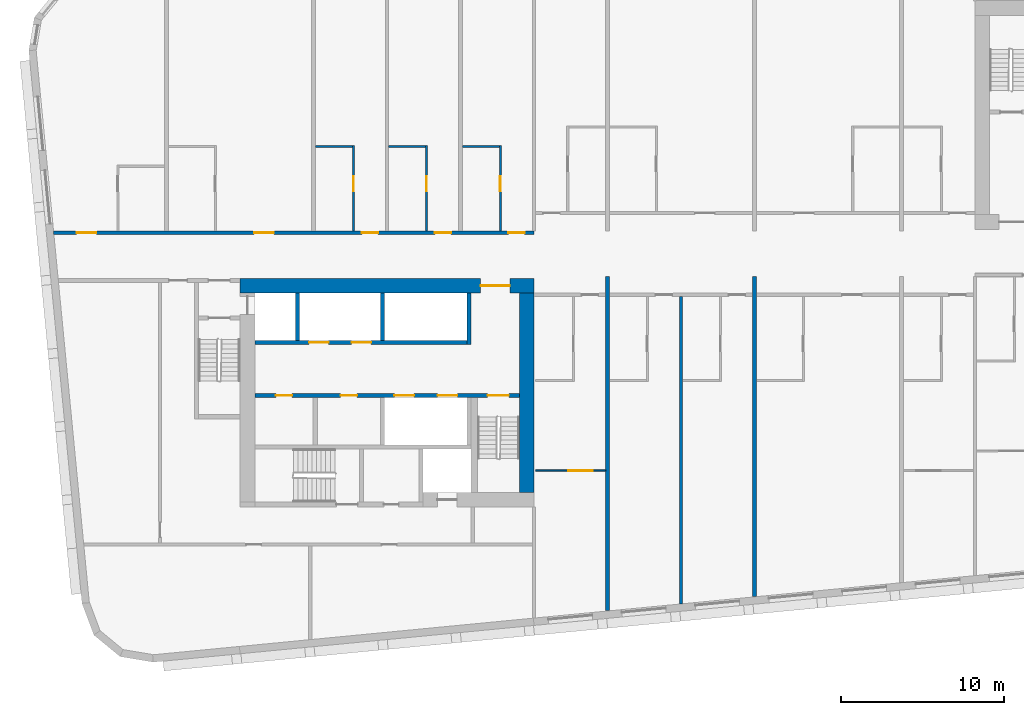
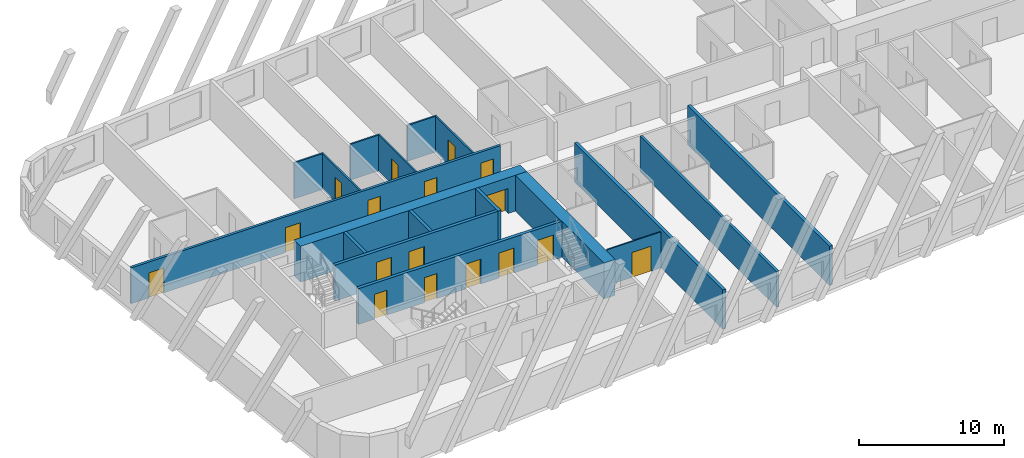
# One storey, part 3 of 13: 18 walls, 17 doors, 17 openings.
"""IFC4 building model written with IfcOpenShell, lengths in metres."""

import ifcopenshell
import ifcopenshell.guid

model = None  # the IFC model being written
_history = None  # IfcOwnerHistory: only IFC2X3 demands one
_inside = {}  # id of a spatial element -> (the spatial element, [elements in it])
_under = {}  # id of a project, library or spatial element -> (it, [spatial elements below it])
_declared = {}  # id of a project -> (the project, [libraries it declares])
_typed = {}  # id of a type object -> (the type object, [elements of that type])
_made_of = {}  # id of a material, layer set ... -> (it, [elements and type objects made of it])


def new_model(schema):
    """Start an empty IFC model of exactly this schema.

    Asked for "IFC4X3", IfcOpenShell would pick the latest addendum, in which some entities
    have other attributes; the version numbers below select the first issue.
    IFC2X3 requires an IfcOwnerHistory on every rooted entity: one is made here for all.
    """
    global model, _history
    if schema == "IFC4X3":
        model = ifcopenshell.file(schema_version=(4, 3, 0, 0))
    else:
        model = ifcopenshell.file(schema=schema)
    _inside.clear()
    _under.clear()
    _declared.clear()
    _typed.clear()
    _made_of.clear()
    _history = None
    if model.schema == "IFC2X3":
        org = make("IfcOrganization", Name="unknown")
        user = make(
            "IfcPersonAndOrganization",
            ThePerson=make("IfcPerson", FamilyName="unknown"),
            TheOrganization=org,
        )
        app = make(
            "IfcApplication",
            ApplicationDeveloper=org,
            Version="unknown",
            ApplicationFullName="unknown",
            ApplicationIdentifier="unknown",
        )
        _history = make(
            "IfcOwnerHistory",
            OwningUser=user,
            OwningApplication=app,
            ChangeAction="ADDED",
            CreationDate=0,
        )
    return model


def make(cls, **values):
    """One entity of the class cls with the attributes given. An attribute that is None is left unset."""
    return model.create_entity(
        cls, **{name: value for name, value in values.items() if value is not None}
    )


def rooted(cls, **values):
    """An entity with a GlobalId (a new one), such as an element, a storey or a relation."""
    return make(cls, GlobalId=ifcopenshell.guid.new(), OwnerHistory=_history, **values)


def si_unit(unit_type, name, prefix=None):
    """IfcSIUnit, for example si_unit("LENGTHUNIT", "METRE", prefix="MILLI")."""
    return make("IfcSIUnit", UnitType=unit_type, Prefix=prefix, Name=name)


def assignment(units):
    """IfcUnitAssignment: the units of a project."""
    return None if units is None else make("IfcUnitAssignment", Units=units)


def point(xyz):
    """IfcCartesianPoint."""
    return None if xyz is None else make("IfcCartesianPoint", Coordinates=xyz)


def direction(xyz):
    """IfcDirection."""
    return None if xyz is None else make("IfcDirection", DirectionRatios=xyz)


def frame(location, z_axis=None, x_axis=None):
    """IfcAxis2Placement3D, a coordinate frame: its origin and axes. An axis left out is left unset."""
    return make(
        "IfcAxis2Placement3D",
        Location=point(location),
        Axis=direction(z_axis),
        RefDirection=direction(x_axis),
    )


def frame_2d(location, x_axis=None):
    """IfcAxis2Placement2D, a coordinate frame in the plane: its origin and x axis."""
    return make(
        "IfcAxis2Placement2D", Location=point(location), RefDirection=direction(x_axis)
    )


def origin():
    """The frame at (0, 0, 0) with its axes left unset."""
    return frame((0.0, 0.0, 0.0))


def place(relative_to, where):
    """IfcLocalPlacement: puts the frame where relative to a parent placement (None: the world)."""
    return make(
        "IfcLocalPlacement", PlacementRelTo=relative_to, RelativePlacement=where
    )


def context(
    kind, dimensions, precision=None, world=None, true_north=None, identifier=None
):
    """IfcGeometricRepresentationContext, for example the 3D "Model" context."""
    return make(
        "IfcGeometricRepresentationContext",
        ContextIdentifier=identifier,
        ContextType=kind,
        CoordinateSpaceDimension=dimensions,
        Precision=precision,
        WorldCoordinateSystem=world,
        TrueNorth=true_north,
    )


def subcontext(parent, identifier, kind, view, scale=None):
    """IfcGeometricRepresentationSubContext, for example "Body" below "Model"."""
    return make(
        "IfcGeometricRepresentationSubContext",
        ContextIdentifier=identifier,
        ContextType=kind,
        ParentContext=parent,
        TargetScale=scale,
        TargetView=view,
    )


def project(units=None, contexts=None):
    """IfcProject with its units and contexts."""
    return rooted(
        "IfcProject",
        Name="project",
        RepresentationContexts=contexts,
        UnitsInContext=assignment(units),
    )


def spatial(cls, under=None, at=None, **own):
    """A site, building, storey or space (cls), placed at a placement, below another one or the project."""
    s = rooted(cls, ObjectPlacement=at, **own)
    if under is not None:
        _under.setdefault(under.id(), (under, []))[1].append(s)
    return s


def profile(cls, at=None, kind="AREA", **sizes):
    """A parametric profile (cls). Its sizes go by their IFC names, for example OverallWidth=200.0."""
    return make(cls, ProfileType=kind, Position=at, **sizes)


def rectangle(**sizes):
    """IfcRectangleProfileDef."""
    return profile("IfcRectangleProfileDef", **sizes)


def extrude(swept, where, along, depth):
    """IfcExtrudedAreaSolid: the profile swept, set in the frame where, extruded along a direction by depth."""
    return make(
        "IfcExtrudedAreaSolid",
        SweptArea=swept,
        Position=where,
        ExtrudedDirection=direction(along),
        Depth=depth,
    )


def shape(context_of_items, identifier, shape_type, items):
    """IfcShapeRepresentation: the items that make up one representation, for example the "Body"."""
    return make(
        "IfcShapeRepresentation",
        ContextOfItems=context_of_items,
        RepresentationIdentifier=identifier,
        RepresentationType=shape_type,
        Items=items,
    )


def material(Name=None, Category=None):
    """IfcMaterial."""
    return make("IfcMaterial", Name=Name, Category=Category)


def layer(
    of_material, thickness, ventilated=None, Name=None, Category=None, Priority=None
):
    """IfcMaterialLayer: one layer of a wall or slab, of a material (None: an air gap)."""
    return make(
        "IfcMaterialLayer",
        Material=of_material,
        LayerThickness=thickness,
        IsVentilated=ventilated,
        Name=Name,
        Category=Category,
        Priority=Priority,
    )


def layer_set(layers, Name=None):
    """IfcMaterialLayerSet."""
    return make("IfcMaterialLayerSet", MaterialLayers=layers, LayerSetName=Name)


def made_of(thing, what):
    """Note that an element or type object is made of a material, layer set ...; save() writes the relation."""
    if what is not None:
        _made_of.setdefault(what.id(), (what, []))[1].append(thing)
    return thing


def type_object(cls, material=None, **own):
    """A type object (cls), such as IfcWallType, which elements share."""
    return made_of(rooted(cls, **own), material)


def element(
    cls,
    number,
    at=None,
    inside=None,
    cuts=None,
    type_object=None,
    material=None,
    context=None,
    identifier="Body",
    shape_type=None,
    held_by="IfcProductDefinitionShape",
    body=None,
    shapes=None,
    **own,
):
    """One element of the class cls, such as IfcWall. Its Tag is "e" and its number.

    at: its placement. inside: the storey or other place that contains it. cuts: it is an
    opening in that element (IfcRelVoidsElement). A single representation is given by context,
    identifier, shape_type and body (its items); several are given by shapes. held_by: the class
    of the entity that holds the representations. save() writes the other relations.
    """
    e = rooted(cls, Tag="e%d" % number, ObjectPlacement=at, **own)
    if body is not None:
        shapes = [shape(context, identifier, shape_type, body)]
    if shapes is not None:
        e.Representation = make(held_by, Representations=shapes)
    if inside is not None:
        _inside.setdefault(inside.id(), (inside, []))[1].append(e)
    if cuts is not None:
        rooted(
            "IfcRelVoidsElement", RelatingBuildingElement=cuts, RelatedOpeningElement=e
        )
    if type_object is not None:
        _typed.setdefault(type_object.id(), (type_object, []))[1].append(e)
    return made_of(e, material)


def fill(opening, filler):
    """IfcRelFillsElement: the door or window that sits in an opening."""
    return rooted(
        "IfcRelFillsElement",
        RelatingOpeningElement=opening,
        RelatedBuildingElement=filler,
    )


def aggregate(whole, parts):
    """IfcRelAggregates: a whole, such as a stair, and the parts it consists of."""
    return rooted("IfcRelAggregates", RelatingObject=whole, RelatedObjects=parts)


def save(model, path):
    """Write the relations noted so far, then the file.

    IfcRelAggregates (storeys below a building ...), IfcRelContainedInSpatialStructure (elements
    in a storey), IfcRelDefinesByType, IfcRelAssociatesMaterial and IfcRelDeclares: one each for
    every whole, place, type object, material and project.
    """
    for whole, parts in _under.values():
        aggregate(whole, parts)
    for where, things in _inside.values():
        rooted(
            "IfcRelContainedInSpatialStructure",
            RelatedElements=things,
            RelatingStructure=where,
        )
    for kind, things in _typed.values():
        rooted("IfcRelDefinesByType", RelatedObjects=things, RelatingType=kind)
    for what, things in _made_of.values():
        rooted("IfcRelAssociatesMaterial", RelatedObjects=things, RelatingMaterial=what)
    for by, libraries in _declared.values():
        rooted("IfcRelDeclares", RelatingContext=by, RelatedDefinitions=libraries)
    model.write(path)


model = new_model("IFC4")

# Units and contexts
model_context = context("Model", 3, precision=1e-05, world=origin(), true_north=direction((0.0, 1.0)))
body_context = subcontext(model_context, "Body", "Model", "MODEL_VIEW")
ifc_project = project(units=[si_unit("LENGTHUNIT", "METRE"), si_unit("AREAUNIT", "SQUARE_METRE"), si_unit("VOLUMEUNIT", "CUBIC_METRE"), si_unit("PLANEANGLEUNIT", "RADIAN"), si_unit("MASSUNIT", "GRAM", prefix="KILO")], contexts=[model_context])

# Site, building, storey
site_placement = place(None, origin())
site = spatial("IfcSite", under=ifc_project, at=site_placement, CompositionType="ELEMENT")
building_placement = place(site_placement, origin())
building = spatial("IfcBuilding", under=site, at=building_placement, Name="Kajstack Hotel Tower", CompositionType="ELEMENT")
storey_placement = place(building_placement, frame((0.0, 0.0, 176.800048828125)))
storey = spatial("IfcBuildingStorey", under=building, at=storey_placement, Name="L41", CompositionType="ELEMENT", Elevation=176.800048828125)

# Wall, opening, door
ifc_material_1 = material(Name="Concrete C60/75", Category="concrete")
ifc_layer_1 = layer(ifc_material_1, 0.89990234375)
ifc_layer_set_1 = layer_set([ifc_layer_1], Name="Core wall 900")
wall_type_1 = type_object("IfcWallType", Name="Core wall 900", PredefinedType="SHEAR", material=ifc_layer_set_1)
wall_1_placement = place(storey_placement, frame((-31.5, -1.949951171875, 0.0), z_axis=(0.0, 0.0, 1.0), x_axis=(1.0, 0.0, 0.0)))
wall_1 = element("IfcWall", 1, at=wall_1_placement, inside=storey, type_object=wall_type_1, Name="Core wall W RN", PredefinedType="SHEAR", context=body_context, shape_type="SweptSolid", body=[
    extrude(rectangle(XDim=18.0, YDim=0.89990234375, at=frame_2d((9.0, 0.0))), origin(), (0.0, 0.0, 1.0), 3.02001953125),
])
opening_1_placement = place(wall_1_placement, frame((14.72509765625, 0.0, 0.0)))
opening_1 = element("IfcOpeningElement", 2, at=opening_1_placement, cuts=wall_1, Name="Opening 41W07", PredefinedType="OPENING", context=body_context, shape_type="SweptSolid", body=[
    extrude(rectangle(XDim=1.800048828125, YDim=2.10009765625, at=frame_2d((0.89990234375, 1.050048828125))), frame((0.0, 0.4599609375, 0.0), z_axis=(0.0, -1.0, 0.0), x_axis=(1.0, 0.0, 0.0)), (0.0, 0.0, 1.0), 0.919921875),
])
ifc_material_2 = material(Name="Glazed steel frame, fire-rated glass", Category="steel")
door_type_1 = type_object("IfcDoorType", Name="Lobby double door 1800", OperationType="DOUBLE_DOOR_DOUBLE_SWING", PredefinedType="DOOR", material=ifc_material_2)
door_1_placement = place(opening_1_placement, origin())
door_1 = element("IfcDoor", 3, at=door_1_placement, inside=storey, type_object=door_type_1, Name="Door 41W07", OperationType="DOUBLE_DOOR_DOUBLE_SWING", OverallHeight=2.10009765625, OverallWidth=1.800048828125, PredefinedType="DOOR", context=body_context, shape_type="SweptSolid", body=[
    extrude(rectangle(XDim=1.800048828125, YDim=2.10009765625, at=frame_2d((0.89990234375, 1.050048828125))), frame((0.0, 0.02490234375, 0.0), z_axis=(0.0, -1.0, 0.0), x_axis=(1.0, 0.0, 0.0)), (0.0, 0.0, 1.0), 0.050048828125),
])
fill(opening_1, door_1)

# Wall
wall_2_placement = place(storey_placement, frame((-13.949951171875, -14.60009765625, 0.0), z_axis=(0.0, 0.0, 1.0), x_axis=(0.0, 1.0, 0.0)))
element("IfcWall", 4, at=wall_2_placement, inside=storey, type_object=wall_type_1, Name="Core wall W RE", PredefinedType="SHEAR", context=body_context, shape_type="SweptSolid", body=[
    extrude(rectangle(XDim=12.2001953125, YDim=0.89990234375, at=frame_2d((6.10009765625, 0.0))), origin(), (0.0, 0.0, 1.0), 3.02001953125),
])

# Wall, openings, doors
ifc_material_3 = material(Name="Gypsum board on steel studs, mineral wool", Category="steel")
ifc_layer_2 = layer(ifc_material_3, 0.199951171875)
ifc_layer_set_2 = layer_set([ifc_layer_2], Name="Corridor wall 200")
wall_type_2 = type_object("IfcWallType", Name="Corridor wall 200", PredefinedType="PARTITIONING", material=ifc_layer_set_2)
wall_3_placement = place(storey_placement, frame((-42.9130859375, 1.300048828125, 0.0), z_axis=(0.0, 0.0, 1.0), x_axis=(1.0, 0.0, 0.0)))
wall_3 = element("IfcWall", 5, at=wall_3_placement, inside=storey, type_object=wall_type_2, Name="G-wall-L41-003", PredefinedType="PARTITIONING", context=body_context, shape_type="SweptSolid", body=[
    extrude(rectangle(XDim=29.4130859375, YDim=0.199951171875, at=frame_2d((14.70654296875, 0.0))), origin(), (0.0, 0.0, 1.0), 3.02001953125),
])
opening_2_placement = place(wall_3_placement, frame((1.406005859375, 0.0, 0.0)))
opening_2 = element("IfcOpeningElement", 6, at=opening_2_placement, cuts=wall_3, Name="Opening 41001", PredefinedType="OPENING", context=body_context, shape_type="SweptSolid", body=[
    extrude(rectangle(XDim=1.199951171875, YDim=2.10009765625, at=frame_2d((0.60009765625, 1.050048828125))), frame((0.0, 0.10986328125, 0.0), z_axis=(0.0, -1.0, 0.0), x_axis=(1.0, 0.0, 0.0)), (0.0, 0.0, 1.0), 0.219970703125),
])
opening_3_placement = place(wall_3_placement, frame((12.27490234375, 0.0, 0.0)))
opening_3 = element("IfcOpeningElement", 7, at=opening_3_placement, cuts=wall_3, Name="Opening 41003", PredefinedType="OPENING", context=body_context, shape_type="SweptSolid", body=[
    extrude(rectangle(XDim=1.199951171875, YDim=2.10009765625, at=frame_2d((0.60009765625, 1.050048828125))), frame((0.0, 0.10986328125, 0.0), z_axis=(0.0, -1.0, 0.0), x_axis=(1.0, 0.0, 0.0)), (0.0, 0.0, 1.0), 0.219970703125),
])
opening_4_placement = place(wall_3_placement, frame((18.863037109375, 0.0, 0.0)))
opening_4 = element("IfcOpeningElement", 8, at=opening_4_placement, cuts=wall_3, Name="Opening 41005", PredefinedType="OPENING", context=body_context, shape_type="SweptSolid", body=[
    extrude(rectangle(XDim=1.0, YDim=2.10009765625, at=frame_2d((0.5, 1.050048828125))), frame((0.0, 0.10986328125, 0.0), z_axis=(0.0, -1.0, 0.0), x_axis=(1.0, 0.0, 0.0)), (0.0, 0.0, 1.0), 0.219970703125),
])
opening_5_placement = place(wall_3_placement, frame((23.337890625, 0.0, 0.0)))
opening_5 = element("IfcOpeningElement", 9, at=opening_5_placement, cuts=wall_3, Name="Opening 41007", PredefinedType="OPENING", context=body_context, shape_type="SweptSolid", body=[
    extrude(rectangle(XDim=1.0, YDim=2.10009765625, at=frame_2d((0.5, 1.050048828125))), frame((0.0, 0.10986328125, 0.0), z_axis=(0.0, -1.0, 0.0), x_axis=(1.0, 0.0, 0.0)), (0.0, 0.0, 1.0), 0.219970703125),
])
opening_6_placement = place(wall_3_placement, frame((27.837890625, 0.0, 0.0)))
opening_6 = element("IfcOpeningElement", 10, at=opening_6_placement, cuts=wall_3, Name="Opening 41009", PredefinedType="OPENING", context=body_context, shape_type="SweptSolid", body=[
    extrude(rectangle(XDim=1.0, YDim=2.10009765625, at=frame_2d((0.5, 1.050048828125))), frame((0.0, 0.10986328125, 0.0), z_axis=(0.0, -1.0, 0.0), x_axis=(1.0, 0.0, 0.0)), (0.0, 0.0, 1.0), 0.219970703125),
])
ifc_material_4 = material(Name="Oak veneer on timber core, fire-rated leaf", Category="wood")
door_type_2 = type_object("IfcDoorType", Name="Flat entrance door 1000", OperationType="SINGLE_SWING_LEFT", PredefinedType="DOOR", material=ifc_material_4)
door_2_placement = place(opening_4_placement, origin())
door_2 = element("IfcDoor", 11, at=door_2_placement, inside=storey, type_object=door_type_2, Name="G-door-L41-05", OperationType="SINGLE_SWING_RIGHT", OverallHeight=2.10009765625, OverallWidth=1.0, PredefinedType="DOOR", context=body_context, shape_type="SweptSolid", body=[
    extrude(rectangle(XDim=1.0, YDim=2.10009765625, at=frame_2d((0.5, 1.050048828125))), frame((0.0, 0.02490234375, 0.0), z_axis=(0.0, -1.0, 0.0), x_axis=(1.0, 0.0, 0.0)), (0.0, 0.0, 1.0), 0.050048828125),
])
fill(opening_4, door_2)
door_3_placement = place(opening_5_placement, origin())
door_3 = element("IfcDoor", 12, at=door_3_placement, inside=storey, type_object=door_type_2, Name="G-door-L41-07", OperationType="SINGLE_SWING_LEFT", OverallHeight=2.10009765625, OverallWidth=1.0, PredefinedType="DOOR", context=body_context, shape_type="SweptSolid", body=[
    extrude(rectangle(XDim=1.0, YDim=2.10009765625, at=frame_2d((0.5, 1.050048828125))), frame((0.0, 0.02490234375, 0.0), z_axis=(0.0, -1.0, 0.0), x_axis=(1.0, 0.0, 0.0)), (0.0, 0.0, 1.0), 0.050048828125),
])
fill(opening_5, door_3)
door_4_placement = place(opening_6_placement, origin())
door_4 = element("IfcDoor", 13, at=door_4_placement, inside=storey, type_object=door_type_2, Name="G-door-L41-09", OperationType="SINGLE_SWING_LEFT", OverallHeight=2.10009765625, OverallWidth=1.0, PredefinedType="DOOR", context=body_context, shape_type="SweptSolid", body=[
    extrude(rectangle(XDim=1.0, YDim=2.10009765625, at=frame_2d((0.5, 1.050048828125))), frame((0.0, 0.02490234375, 0.0), z_axis=(0.0, -1.0, 0.0), x_axis=(1.0, 0.0, 0.0)), (0.0, 0.0, 1.0), 0.050048828125),
])
fill(opening_6, door_4)
door_type_3 = type_object("IfcDoorType", Name="Flat entrance door 1200", OperationType="SINGLE_SWING_LEFT", PredefinedType="DOOR", material=ifc_material_4)
door_5_placement = place(opening_2_placement, origin())
door_5 = element("IfcDoor", 14, at=door_5_placement, inside=storey, type_object=door_type_3, Name="G-door-L41-01", OperationType="SINGLE_SWING_RIGHT", OverallHeight=2.10009765625, OverallWidth=1.199951171875, PredefinedType="DOOR", context=body_context, shape_type="SweptSolid", body=[
    extrude(rectangle(XDim=1.199951171875, YDim=2.10009765625, at=frame_2d((0.60009765625, 1.050048828125))), frame((0.0, 0.02490234375, 0.0), z_axis=(0.0, -1.0, 0.0), x_axis=(1.0, 0.0, 0.0)), (0.0, 0.0, 1.0), 0.050048828125),
])
fill(opening_2, door_5)
door_6_placement = place(opening_3_placement, origin())
door_6 = element("IfcDoor", 15, at=door_6_placement, inside=storey, type_object=door_type_3, Name="G-door-L41-03", OperationType="SINGLE_SWING_RIGHT", OverallHeight=2.10009765625, OverallWidth=1.199951171875, PredefinedType="DOOR", context=body_context, shape_type="SweptSolid", body=[
    extrude(rectangle(XDim=1.199951171875, YDim=2.10009765625, at=frame_2d((0.60009765625, 1.050048828125))), frame((0.0, 0.02490234375, 0.0), z_axis=(0.0, -1.0, 0.0), x_axis=(1.0, 0.0, 0.0)), (0.0, 0.0, 1.0), 0.050048828125),
])
fill(opening_3, door_6)

# Wall
ifc_material_5 = material(Name="Twin-frame gypsum board on steel studs, mineral wool", Category="steel")
ifc_layer_3 = layer(ifc_material_5, 0.199951171875)
ifc_layer_set_3 = layer_set([ifc_layer_3], Name="Demising wall 200")
wall_type_3 = type_object("IfcWallType", Name="Demising wall 200", PredefinedType="PARTITIONING", material=ifc_layer_set_3)
wall_4_placement = place(storey_placement, frame((-4.5, -21.43408203125, 0.0), z_axis=(0.0, 0.0, 1.0), x_axis=(0.0, 1.0, 0.0)))
element("IfcWall", 16, at=wall_4_placement, inside=storey, type_object=wall_type_3, Name="G-wall-L41-030", PredefinedType="PARTITIONING", context=body_context, shape_type="SweptSolid", body=[
    extrude(rectangle(XDim=18.833984375, YDim=0.199951171875, at=frame_2d((9.4169921875, 0.0))), origin(), (0.0, 0.0, 1.0), 3.02001953125),
])

# Wall, opening, door
ifc_material_6 = material(Name="Gypsum board and tiled backer on steel studs", Category="steel")
ifc_layer_4 = layer(ifc_material_6, 0.125)
ifc_layer_set_4 = layer_set([ifc_layer_4], Name="En-suite wall 125")
wall_type_4 = type_object("IfcWallType", Name="En-suite wall 125", PredefinedType="PARTITIONING", material=ifc_layer_set_4)
wall_5_placement = place(storey_placement, frame((-24.56201171875, 1.39990234375, 0.0), z_axis=(0.0, 0.0, 1.0), x_axis=(0.0, 1.0, 0.0)))
wall_5 = element("IfcWall", 17, at=wall_5_placement, inside=storey, type_object=wall_type_4, Name="G-wall-L41-010", PredefinedType="PARTITIONING", context=body_context, shape_type="SweptSolid", body=[
    extrude(rectangle(XDim=5.22509765625, YDim=0.125, at=frame_2d((2.612548828125, 0.0))), origin(), (0.0, 0.0, 1.0), 3.02001953125),
])
opening_7_placement = place(wall_5_placement, frame((2.449951171875, 0.0, 0.0)))
opening_7 = element("IfcOpeningElement", 18, at=opening_7_placement, cuts=wall_5, Name="Opening 41006", PredefinedType="OPENING", context=body_context, shape_type="SweptSolid", body=[
    extrude(rectangle(XDim=0.89990234375, YDim=2.10009765625, at=frame_2d((0.449951171875, 1.050048828125))), frame((0.0, 0.072509765625, 0.0), z_axis=(0.0, -1.0, 0.0), x_axis=(1.0, 0.0, 0.0)), (0.0, 0.0, 1.0), 0.14501953125),
])
ifc_material_7 = material(Name="Painted timber door leaf", Category="wood")
door_type_4 = type_object("IfcDoorType", Name="Room door 900", OperationType="SINGLE_SWING_LEFT", PredefinedType="DOOR", material=ifc_material_7)
door_7_placement = place(opening_7_placement, origin())
door_7 = element("IfcDoor", 19, at=door_7_placement, inside=storey, type_object=door_type_4, Name="G-door-L41-06", OperationType="SINGLE_SWING_RIGHT", OverallHeight=2.10009765625, OverallWidth=0.89990234375, PredefinedType="DOOR", context=body_context, shape_type="SweptSolid", body=[
    extrude(rectangle(XDim=0.89990234375, YDim=2.10009765625, at=frame_2d((0.449951171875, 1.050048828125))), frame((0.0, 0.02490234375, 0.0), z_axis=(0.0, -1.0, 0.0), x_axis=(1.0, 0.0, 0.0)), (0.0, 0.0, 1.0), 0.050048828125),
])
fill(opening_7, door_7)

# Wall
wall_6_placement = place(storey_placement, frame((-26.875, 6.56201171875, 0.0), z_axis=(0.0, 0.0, 1.0), x_axis=(1.0, 0.0, 0.0)))
element("IfcWall", 20, at=wall_6_placement, inside=storey, type_object=wall_type_4, Name="G-wall-L41-011", PredefinedType="PARTITIONING", context=body_context, shape_type="SweptSolid", body=[
    extrude(rectangle(XDim=2.25, YDim=0.125, at=frame_2d((1.125, 0.0))), origin(), (0.0, 0.0, 1.0), 3.02001953125),
])

# Wall, opening, door
wall_7_placement = place(storey_placement, frame((-20.0869140625, 1.39990234375, 0.0), z_axis=(0.0, 0.0, 1.0), x_axis=(0.0, 1.0, 0.0)))
wall_7 = element("IfcWall", 21, at=wall_7_placement, inside=storey, type_object=wall_type_4, Name="G-wall-L41-012", PredefinedType="PARTITIONING", context=body_context, shape_type="SweptSolid", body=[
    extrude(rectangle(XDim=5.22509765625, YDim=0.125, at=frame_2d((2.612548828125, 0.0))), origin(), (0.0, 0.0, 1.0), 3.02001953125),
])
opening_8_placement = place(wall_7_placement, frame((2.449951171875, 0.0, 0.0)))
opening_8 = element("IfcOpeningElement", 22, at=opening_8_placement, cuts=wall_7, Name="Opening 41008", PredefinedType="OPENING", context=body_context, shape_type="SweptSolid", body=[
    extrude(rectangle(XDim=0.89990234375, YDim=2.10009765625, at=frame_2d((0.449951171875, 1.050048828125))), frame((0.0, 0.072509765625, 0.0), z_axis=(0.0, -1.0, 0.0), x_axis=(1.0, 0.0, 0.0)), (0.0, 0.0, 1.0), 0.14501953125),
])
door_8_placement = place(opening_8_placement, origin())
door_8 = element("IfcDoor", 23, at=door_8_placement, inside=storey, type_object=door_type_4, Name="G-door-L41-08", OperationType="SINGLE_SWING_RIGHT", OverallHeight=2.10009765625, OverallWidth=0.89990234375, PredefinedType="DOOR", context=body_context, shape_type="SweptSolid", body=[
    extrude(rectangle(XDim=0.89990234375, YDim=2.10009765625, at=frame_2d((0.449951171875, 1.050048828125))), frame((0.0, 0.02490234375, 0.0), z_axis=(0.0, -1.0, 0.0), x_axis=(1.0, 0.0, 0.0)), (0.0, 0.0, 1.0), 0.050048828125),
])
fill(opening_8, door_8)

# Wall
wall_8_placement = place(storey_placement, frame((-22.39990234375, 6.56201171875, 0.0), z_axis=(0.0, 0.0, 1.0), x_axis=(1.0, 0.0, 0.0)))
element("IfcWall", 24, at=wall_8_placement, inside=storey, type_object=wall_type_4, Name="G-wall-L41-013", PredefinedType="PARTITIONING", context=body_context, shape_type="SweptSolid", body=[
    extrude(rectangle(XDim=2.25, YDim=0.125, at=frame_2d((1.125, 0.0))), origin(), (0.0, 0.0, 1.0), 3.02001953125),
])

# Wall, opening, door
wall_9_placement = place(storey_placement, frame((-15.56201171875, 1.39990234375, 0.0), z_axis=(0.0, 0.0, 1.0), x_axis=(0.0, 1.0, 0.0)))
wall_9 = element("IfcWall", 25, at=wall_9_placement, inside=storey, type_object=wall_type_4, Name="G-wall-L41-015", PredefinedType="PARTITIONING", context=body_context, shape_type="SweptSolid", body=[
    extrude(rectangle(XDim=5.22509765625, YDim=0.125, at=frame_2d((2.612548828125, 0.0))), origin(), (0.0, 0.0, 1.0), 3.02001953125),
])
opening_9_placement = place(wall_9_placement, frame((2.449951171875, 0.0, 0.0)))
opening_9 = element("IfcOpeningElement", 26, at=opening_9_placement, cuts=wall_9, Name="Opening 41010", PredefinedType="OPENING", context=body_context, shape_type="SweptSolid", body=[
    extrude(rectangle(XDim=0.89990234375, YDim=2.10009765625, at=frame_2d((0.449951171875, 1.050048828125))), frame((0.0, 0.072509765625, 0.0), z_axis=(0.0, -1.0, 0.0), x_axis=(1.0, 0.0, 0.0)), (0.0, 0.0, 1.0), 0.14501953125),
])
door_9_placement = place(opening_9_placement, origin())
door_9 = element("IfcDoor", 27, at=door_9_placement, inside=storey, type_object=door_type_4, Name="G-door-L41-10", OperationType="SINGLE_SWING_RIGHT", OverallHeight=2.10009765625, OverallWidth=0.89990234375, PredefinedType="DOOR", context=body_context, shape_type="SweptSolid", body=[
    extrude(rectangle(XDim=0.89990234375, YDim=2.10009765625, at=frame_2d((0.449951171875, 1.050048828125))), frame((0.0, 0.02490234375, 0.0), z_axis=(0.0, -1.0, 0.0), x_axis=(1.0, 0.0, 0.0)), (0.0, 0.0, 1.0), 0.050048828125),
])
fill(opening_9, door_9)

# Walls
wall_10_placement = place(storey_placement, frame((-17.875, 6.56201171875, 0.0), z_axis=(0.0, 0.0, 1.0), x_axis=(1.0, 0.0, 0.0)))
element("IfcWall", 28, at=wall_10_placement, inside=storey, type_object=wall_type_4, Name="G-wall-L41-016", PredefinedType="PARTITIONING", context=body_context, shape_type="SweptSolid", body=[
    extrude(rectangle(XDim=2.25, YDim=0.125, at=frame_2d((1.125, 0.0))), origin(), (0.0, 0.0, 1.0), 3.02001953125),
])
ifc_material_8 = material(Name="Concrete C50/60", Category="concrete")
ifc_layer_5 = layer(ifc_material_8, 0.300048828125)
ifc_layer_set_5 = layer_set([ifc_layer_5], Name="Hoistway divider wall 300")
wall_type_5 = type_object("IfcWallType", Name="Hoistway divider wall 300", PredefinedType="SHEAR", material=ifc_layer_set_5)
wall_11_placement = place(storey_placement, frame((-22.77490234375, -5.300048828125, 0.0), z_axis=(0.0, 0.0, 1.0), x_axis=(0.0, 1.0, 0.0)))
element("IfcWall", 29, at=wall_11_placement, inside=storey, type_object=wall_type_5, Name="Core wall W AP2", PredefinedType="SHEAR", context=body_context, shape_type="SweptSolid", body=[
    extrude(rectangle(XDim=2.900146484375, YDim=0.25, at=frame_2d((1.4501953125, 0.0))), origin(), (0.0, 0.0, 1.0), 3.02001953125),
])

# Wall, opening, door
ifc_material_9 = material(Name="Gypsum board on steel studs", Category="steel")
ifc_layer_6 = layer(ifc_material_9, 0.10009765625)
ifc_layer_set_6 = layer_set([ifc_layer_6], Name="Partition 100")
wall_type_6 = type_object("IfcWallType", Name="Partition 100", PredefinedType="PARTITIONING", material=ifc_layer_set_6)
wall_12_placement = place(storey_placement, frame((-13.39990234375, -13.27490234375, 0.0), z_axis=(0.0, 0.0, 1.0), x_axis=(1.0, 0.0, 0.0)))
wall_12 = element("IfcWall", 30, at=wall_12_placement, inside=storey, type_object=wall_type_6, Name="G-wall-L41-029", PredefinedType="PARTITIONING", context=body_context, shape_type="SweptSolid", body=[
    extrude(rectangle(XDim=4.27490234375, YDim=0.10009765625, at=frame_2d((2.137451171875, 0.0))), origin(), (0.0, 0.0, 1.0), 3.02001953125),
])
opening_10_placement = place(wall_12_placement, frame((1.988037109375, 0.0, 0.0)))
opening_10 = element("IfcOpeningElement", 31, at=opening_10_placement, cuts=wall_12, Name="Opening 41021", PredefinedType="OPENING", context=body_context, shape_type="SweptSolid", body=[
    extrude(rectangle(XDim=1.5, YDim=2.10009765625, at=frame_2d((0.75, 1.050048828125))), frame((0.0, 0.06005859375, 0.0), z_axis=(0.0, -1.0, 0.0), x_axis=(1.0, 0.0, 0.0)), (0.0, 0.0, 1.0), 0.1201171875),
])
ifc_material_10 = material(Name="Painted timber door leaves, glazed panels", Category="wood")
door_type_5 = type_object("IfcDoorType", Name="Double door 1500", OperationType="SINGLE_SWING_LEFT", PredefinedType="DOOR", material=ifc_material_10)
door_10_placement = place(opening_10_placement, origin())
door_10 = element("IfcDoor", 32, at=door_10_placement, inside=storey, type_object=door_type_5, Name="G-door-L41-21", OperationType="SINGLE_SWING_RIGHT", OverallHeight=2.10009765625, OverallWidth=1.5, PredefinedType="DOOR", context=body_context, shape_type="SweptSolid", body=[
    extrude(rectangle(XDim=1.5, YDim=2.10009765625, at=frame_2d((0.75, 1.050048828125))), frame((0.0, 0.02490234375, 0.0), z_axis=(0.0, -1.0, 0.0), x_axis=(1.0, 0.0, 0.0)), (0.0, 0.0, 1.0), 0.050048828125),
])
fill(opening_10, door_10)

# Walls
ifc_layer_7 = layer(ifc_material_8, 0.25)
ifc_layer_set_7 = layer_set([ifc_layer_7], Name="RC cross wall 250 C50/60")
wall_type_7 = type_object("IfcWallType", Name="RC cross wall 250 C50/60", PredefinedType="SHEAR", material=ifc_layer_set_7)
wall_13_placement = place(storey_placement, frame((-9.0, -21.84521484375, 0.0), z_axis=(0.0, 0.0, 1.0), x_axis=(0.0, 1.0, 0.0)))
element("IfcWall", 33, at=wall_13_placement, inside=storey, type_object=wall_type_7, Name="S-wall-L41-04", PredefinedType="SHEAR", context=body_context, shape_type="SweptSolid", body=[
    extrude(rectangle(XDim=20.4453125, YDim=0.25, at=frame_2d((10.22265625, 0.0))), origin(), (0.0, 0.0, 1.0), 3.300048828125),
])
wall_14_placement = place(storey_placement, frame((0.0, -20.978515625, 0.0), z_axis=(0.0, 0.0, 1.0), x_axis=(0.0, 1.0, 0.0)))
element("IfcWall", 34, at=wall_14_placement, inside=storey, type_object=wall_type_7, Name="S-wall-L41-06", PredefinedType="SHEAR", context=body_context, shape_type="SweptSolid", body=[
    extrude(rectangle(XDim=19.57861328125, YDim=0.25, at=frame_2d((9.789306640625, 0.0))), origin(), (0.0, 0.0, 1.0), 3.300048828125),
])

# Wall, openings, doors
ifc_layer_8 = layer(ifc_material_8, 0.25)
ifc_layer_set_8 = layer_set([ifc_layer_8], Name="Shaft wall 250")
wall_type_8 = type_object("IfcWallType", Name="Shaft wall 250", PredefinedType="SHEAR", material=ifc_layer_set_8)
wall_15_placement = place(storey_placement, frame((-30.60009765625, -5.425048828125, 0.0), z_axis=(0.0, 0.0, 1.0), x_axis=(1.0, 0.0, 0.0)))
wall_15 = element("IfcWall", 35, at=wall_15_placement, inside=storey, type_object=wall_type_8, Name="Core wall W FA", PredefinedType="SHEAR", context=body_context, shape_type="SweptSolid", body=[
    extrude(rectangle(XDim=13.0, YDim=0.25, at=frame_2d((6.5, 0.0))), origin(), (0.0, 0.0, 1.0), 3.02001953125),
])
opening_11_placement = place(wall_15_placement, frame((3.324951171875, 0.0, 0.0)))
opening_11 = element("IfcOpeningElement", 36, at=opening_11_placement, cuts=wall_15, Name="Opening LD-MR3", PredefinedType="OPENING", context=body_context, shape_type="SweptSolid", body=[
    extrude(rectangle(XDim=1.199951171875, YDim=2.10009765625, at=frame_2d((0.60009765625, 1.050048828125))), frame((0.0, 0.135009765625, 0.0), z_axis=(0.0, -1.0, 0.0), x_axis=(1.0, 0.0, 0.0)), (0.0, 0.0, 1.0), 0.27001953125),
])
opening_12_placement = place(wall_15_placement, frame((5.925048828125, 0.0, 0.0)))
opening_12 = element("IfcOpeningElement", 37, at=opening_12_placement, cuts=wall_15, Name="Opening LD-MR4", PredefinedType="OPENING", context=body_context, shape_type="SweptSolid", body=[
    extrude(rectangle(XDim=1.199951171875, YDim=2.10009765625, at=frame_2d((0.60009765625, 1.050048828125))), frame((0.0, 0.135009765625, 0.0), z_axis=(0.0, -1.0, 0.0), x_axis=(1.0, 0.0, 0.0)), (0.0, 0.0, 1.0), 0.27001953125),
])
ifc_material_11 = material(Name="Stainless steel", Category="steel")
door_type_6 = type_object("IfcDoorType", Name="Lift landing door 1200", OperationType="SLIDING_TO_LEFT", PredefinedType="DOOR", material=ifc_material_11)
door_11_placement = place(opening_11_placement, origin())
door_11 = element("IfcDoor", 38, at=door_11_placement, inside=storey, type_object=door_type_6, Name="Landing door MR3", OperationType="SLIDING_TO_RIGHT", OverallHeight=2.10009765625, OverallWidth=1.199951171875, PredefinedType="DOOR", context=body_context, shape_type="SweptSolid", body=[
    extrude(rectangle(XDim=1.199951171875, YDim=2.10009765625, at=frame_2d((0.60009765625, 1.050048828125))), frame((0.0, 0.02490234375, 0.0), z_axis=(0.0, -1.0, 0.0), x_axis=(1.0, 0.0, 0.0)), (0.0, 0.0, 1.0), 0.050048828125),
])
fill(opening_11, door_11)
door_12_placement = place(opening_12_placement, origin())
door_12 = element("IfcDoor", 39, at=door_12_placement, inside=storey, type_object=door_type_6, Name="Landing door MR4", OperationType="SLIDING_TO_RIGHT", OverallHeight=2.10009765625, OverallWidth=1.199951171875, PredefinedType="DOOR", context=body_context, shape_type="SweptSolid", body=[
    extrude(rectangle(XDim=1.199951171875, YDim=2.10009765625, at=frame_2d((0.60009765625, 1.050048828125))), frame((0.0, 0.02490234375, 0.0), z_axis=(0.0, -1.0, 0.0), x_axis=(1.0, 0.0, 0.0)), (0.0, 0.0, 1.0), 0.050048828125),
])
fill(opening_12, door_12)

# Walls
wall_16_placement = place(storey_placement, frame((-17.47509765625, -5.550048828125, 0.0), z_axis=(0.0, 0.0, 1.0), x_axis=(0.0, 1.0, 0.0)))
element("IfcWall", 40, at=wall_16_placement, inside=storey, type_object=wall_type_8, Name="Core wall W AE", PredefinedType="SHEAR", context=body_context, shape_type="SweptSolid", body=[
    extrude(rectangle(XDim=3.150146484375, YDim=0.25, at=frame_2d((1.5751953125, 0.0))), origin(), (0.0, 0.0, 1.0), 3.02001953125),
])
wall_17_placement = place(storey_placement, frame((-27.97509765625, -5.300048828125, 0.0), z_axis=(0.0, 0.0, 1.0), x_axis=(0.0, 1.0, 0.0)))
element("IfcWall", 41, at=wall_17_placement, inside=storey, type_object=wall_type_8, Name="Core wall W AP0", PredefinedType="SHEAR", context=body_context, shape_type="SweptSolid", body=[
    extrude(rectangle(XDim=2.900146484375, YDim=0.25, at=frame_2d((1.4501953125, 0.0))), origin(), (0.0, 0.0, 1.0), 3.02001953125),
])

# Wall, openings, doors
wall_18_placement = place(storey_placement, frame((-30.60009765625, -8.675048828125, 0.0), z_axis=(0.0, 0.0, 1.0), x_axis=(1.0, 0.0, 0.0)))
wall_18 = element("IfcWall", 42, at=wall_18_placement, inside=storey, type_object=wall_type_8, Name="Core wall W FB", PredefinedType="SHEAR", context=body_context, shape_type="SweptSolid", body=[
    extrude(rectangle(XDim=16.2001953125, YDim=0.25, at=frame_2d((8.10009765625, 0.0))), origin(), (0.0, 0.0, 1.0), 3.02001953125),
])
opening_13_placement = place(wall_18_placement, frame((8.550048828125, 0.0, 0.0)))
opening_13 = element("IfcOpeningElement", 43, at=opening_13_placement, cuts=wall_18, Name="Opening LD-MR1", PredefinedType="OPENING", context=body_context, shape_type="SweptSolid", body=[
    extrude(rectangle(XDim=1.199951171875, YDim=2.10009765625, at=frame_2d((0.60009765625, 1.050048828125))), frame((0.0, 0.135009765625, 0.0), z_axis=(0.0, -1.0, 0.0), x_axis=(1.0, 0.0, 0.0)), (0.0, 0.0, 1.0), 0.27001953125),
])
opening_14_placement = place(wall_18_placement, frame((11.199951171875, 0.0, 0.0)))
opening_14 = element("IfcOpeningElement", 44, at=opening_14_placement, cuts=wall_18, Name="Opening LD-MR2", PredefinedType="OPENING", context=body_context, shape_type="SweptSolid", body=[
    extrude(rectangle(XDim=1.199951171875, YDim=2.10009765625, at=frame_2d((0.60009765625, 1.050048828125))), frame((0.0, 0.135009765625, 0.0), z_axis=(0.0, -1.0, 0.0), x_axis=(1.0, 0.0, 0.0)), (0.0, 0.0, 1.0), 0.27001953125),
])
opening_15_placement = place(wall_18_placement, frame((14.25, 0.0, 0.0)))
opening_15 = element("IfcOpeningElement", 45, at=opening_15_placement, cuts=wall_18, Name="Opening 41W11", PredefinedType="OPENING", context=body_context, shape_type="SweptSolid", body=[
    extrude(rectangle(XDim=1.300048828125, YDim=2.10009765625, at=frame_2d((0.64990234375, 1.050048828125))), frame((0.0, 0.135009765625, 0.0), z_axis=(0.0, -1.0, 0.0), x_axis=(1.0, 0.0, 0.0)), (0.0, 0.0, 1.0), 0.27001953125),
])
opening_16_placement = place(wall_18_placement, frame((1.28759765625, 0.0, 0.0)))
opening_16 = element("IfcOpeningElement", 46, at=opening_16_placement, cuts=wall_18, Name="Opening 41W14", PredefinedType="OPENING", context=body_context, shape_type="SweptSolid", body=[
    extrude(rectangle(XDim=1.0, YDim=2.10009765625, at=frame_2d((0.5, 1.050048828125))), frame((0.0, 0.135009765625, 0.0), z_axis=(0.0, -1.0, 0.0), x_axis=(1.0, 0.0, 0.0)), (0.0, 0.0, 1.0), 0.27001953125),
])
opening_17_placement = place(wall_18_placement, frame((5.262451171875, 0.0, 0.0)))
opening_17 = element("IfcOpeningElement", 47, at=opening_17_placement, cuts=wall_18, Name="Opening 41W15", PredefinedType="OPENING", context=body_context, shape_type="SweptSolid", body=[
    extrude(rectangle(XDim=1.0, YDim=2.10009765625, at=frame_2d((0.5, 1.050048828125))), frame((0.0, 0.135009765625, 0.0), z_axis=(0.0, -1.0, 0.0), x_axis=(1.0, 0.0, 0.0)), (0.0, 0.0, 1.0), 0.27001953125),
])
door_13_placement = place(opening_13_placement, origin())
door_13 = element("IfcDoor", 48, at=door_13_placement, inside=storey, type_object=door_type_6, Name="Landing door MR1", OperationType="SLIDING_TO_LEFT", OverallHeight=2.10009765625, OverallWidth=1.199951171875, PredefinedType="DOOR", context=body_context, shape_type="SweptSolid", body=[
    extrude(rectangle(XDim=1.199951171875, YDim=2.10009765625, at=frame_2d((0.60009765625, 1.050048828125))), frame((0.0, 0.02490234375, 0.0), z_axis=(0.0, -1.0, 0.0), x_axis=(1.0, 0.0, 0.0)), (0.0, 0.0, 1.0), 0.050048828125),
])
fill(opening_13, door_13)
door_14_placement = place(opening_14_placement, origin())
door_14 = element("IfcDoor", 49, at=door_14_placement, inside=storey, type_object=door_type_6, Name="Landing door MR2", OperationType="SLIDING_TO_RIGHT", OverallHeight=2.10009765625, OverallWidth=1.199951171875, PredefinedType="DOOR", context=body_context, shape_type="SweptSolid", body=[
    extrude(rectangle(XDim=1.199951171875, YDim=2.10009765625, at=frame_2d((0.60009765625, 1.050048828125))), frame((0.0, 0.02490234375, 0.0), z_axis=(0.0, -1.0, 0.0), x_axis=(1.0, 0.0, 0.0)), (0.0, 0.0, 1.0), 0.050048828125),
])
fill(opening_14, door_14)
ifc_material_12 = material(Name="Timber leaf, fire-rated", Category="wood")
door_type_7 = type_object("IfcDoorType", Name="Service room door 1000", OperationType="SINGLE_SWING_LEFT", PredefinedType="DOOR", material=ifc_material_12)
door_15_placement = place(opening_16_placement, origin())
door_15 = element("IfcDoor", 50, at=door_15_placement, inside=storey, type_object=door_type_7, Name="Door 41W14", OperationType="SINGLE_SWING_RIGHT", OverallHeight=2.10009765625, OverallWidth=1.0, PredefinedType="DOOR", context=body_context, shape_type="SweptSolid", body=[
    extrude(rectangle(XDim=1.0, YDim=2.10009765625, at=frame_2d((0.5, 1.050048828125))), frame((0.0, 0.02490234375, 0.0), z_axis=(0.0, -1.0, 0.0), x_axis=(1.0, 0.0, 0.0)), (0.0, 0.0, 1.0), 0.050048828125),
])
fill(opening_16, door_15)
door_16_placement = place(opening_17_placement, origin())
door_16 = element("IfcDoor", 51, at=door_16_placement, inside=storey, type_object=door_type_7, Name="Door 41W15", OperationType="SINGLE_SWING_RIGHT", OverallHeight=2.10009765625, OverallWidth=1.0, PredefinedType="DOOR", context=body_context, shape_type="SweptSolid", body=[
    extrude(rectangle(XDim=1.0, YDim=2.10009765625, at=frame_2d((0.5, 1.050048828125))), frame((0.0, 0.02490234375, 0.0), z_axis=(0.0, -1.0, 0.0), x_axis=(1.0, 0.0, 0.0)), (0.0, 0.0, 1.0), 0.050048828125),
])
fill(opening_17, door_16)
ifc_material_13 = material(Name="Steel leaf, fire-rated", Category="steel")
door_type_8 = type_object("IfcDoorType", Name="Stair door 1300", OperationType="SINGLE_SWING_LEFT", PredefinedType="DOOR", material=ifc_material_13)
door_17_placement = place(opening_15_placement, origin())
door_17 = element("IfcDoor", 52, at=door_17_placement, inside=storey, type_object=door_type_8, Name="Door 41W11", OperationType="SINGLE_SWING_RIGHT", OverallHeight=2.10009765625, OverallWidth=1.300048828125, PredefinedType="DOOR", context=body_context, shape_type="SweptSolid", body=[
    extrude(rectangle(XDim=1.300048828125, YDim=2.10009765625, at=frame_2d((0.64990234375, 1.050048828125))), frame((0.0, 0.02490234375, 0.0), z_axis=(0.0, -1.0, 0.0), x_axis=(1.0, 0.0, 0.0)), (0.0, 0.0, 1.0), 0.050048828125),
])
fill(opening_15, door_17)

save(model, "model.ifc")
